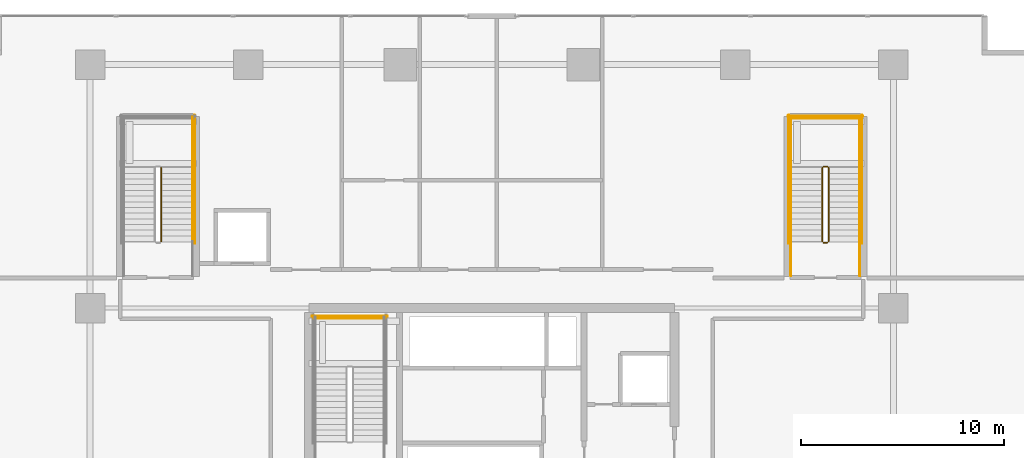
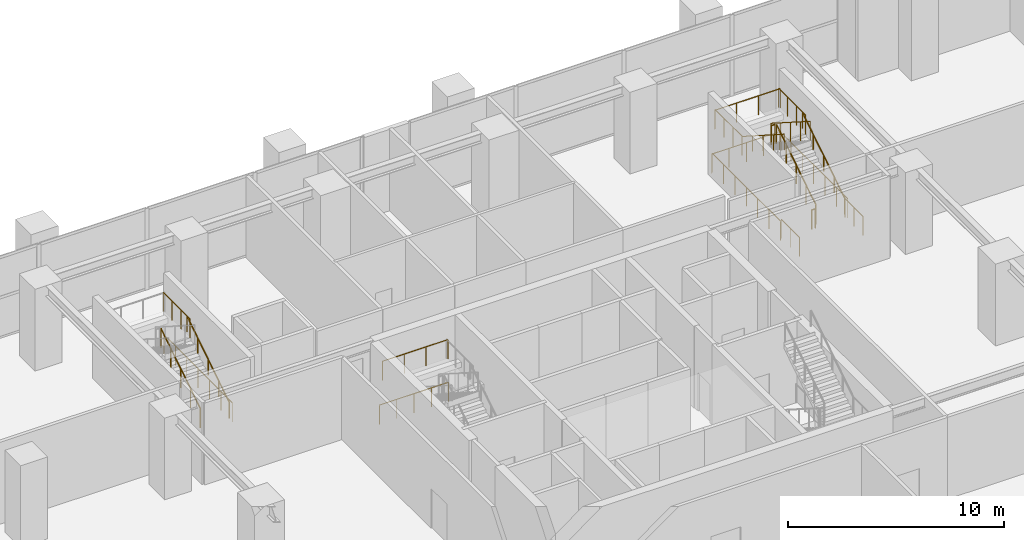
# One storey, part 20 of 20: 20 railings.
"""IFC4 building model written with IfcOpenShell, lengths in metres."""

from ifc_helpers import new_model, si_unit, direction, frame, origin, origin_2d, place, context, subcontext, project, spatial, circle, extrude, material, type_object, element, save


model = new_model("IFC4")

# Units and contexts
model_context = context("Model", 3, precision=1e-05, world=origin(), true_north=direction((0.0, 1.0)))
body_context = subcontext(model_context, "Body", "Model", "MODEL_VIEW")
ifc_project = project(units=[si_unit("LENGTHUNIT", "METRE"), si_unit("AREAUNIT", "SQUARE_METRE"), si_unit("VOLUMEUNIT", "CUBIC_METRE"), si_unit("PLANEANGLEUNIT", "RADIAN"), si_unit("MASSUNIT", "GRAM", prefix="KILO")], contexts=[model_context])

# Site, building, storey
site_placement = place(None, origin())
site = spatial("IfcSite", under=ifc_project, at=site_placement, CompositionType="ELEMENT")
building_placement = place(site_placement, origin())
building = spatial("IfcBuilding", under=site, at=building_placement, Name="Serunith Strait Residences", CompositionType="ELEMENT")
storey_placement = place(building_placement, frame((0.0, 0.0, 5.5)))
storey = spatial("IfcBuildingStorey", under=building, at=storey_placement, Name="L01", CompositionType="ELEMENT", Elevation=5.5)

# Railings
ifc_material = material(Name="Brushed stainless steel 316L", Category="steel")
railing_type_1 = type_object("IfcRailingType", Name="RLG-STAIR-GUARD", PredefinedType="BALUSTRADE", material=ifc_material)
railing_1_placement = place(storey_placement, frame((27.14990234375, 33.10009765625, 2.5)))
element("IfcRailing", 1, at=railing_1_placement, inside=storey, type_object=railing_type_1, Name="L01 ST-1 stair guard 5", PredefinedType="BALUSTRADE", context=body_context, shape_type="SweptSolid", body=[
    extrude(circle(Radius=0.02392578125, at=origin_2d()), frame((-0.001953125, 0.0, 1.076171875), z_axis=(-1.0, 0.0, 0.0), x_axis=(0.0, -1.0, 0.0)), (0.0, 0.0, 1.0), 3.49609375),
    extrude(circle(Radius=0.02099609375, at=origin_2d()), origin(), (0.0, 0.0, 1.0), 1.050048828125),
    extrude(circle(Radius=0.02099609375, at=origin_2d()), frame((-1.166748046875, 0.0, 0.0)), (0.0, 0.0, 1.0), 1.050048828125),
    extrude(circle(Radius=0.02099609375, at=origin_2d()), frame((-2.333251953125, 0.0, 0.0)), (0.0, 0.0, 1.0), 1.050048828125),
    extrude(circle(Radius=0.02099609375, at=origin_2d()), frame((-3.5, 0.0, 0.0)), (0.0, 0.0, 1.0), 1.050048828125),
])
railing_2_placement = place(storey_placement, frame((27.25, 33.199951171875, 0.0)))
element("IfcRailing", 2, at=railing_2_placement, inside=storey, type_object=railing_type_1, Name="L01 ST-1 stair guard 12", PredefinedType="BALUSTRADE", context=body_context, shape_type="SweptSolid", body=[
    extrude(circle(Radius=0.02392578125, at=origin_2d()), frame((-0.001953125, 0.0, 1.076171875), z_axis=(-1.0, 0.0, 0.0), x_axis=(0.0, -1.0, 0.0)), (0.0, 0.0, 1.0), 3.696044921875),
    extrude(circle(Radius=0.02099609375, at=origin_2d()), origin(), (0.0, 0.0, 1.0), 1.050048828125),
    extrude(circle(Radius=0.02099609375, at=origin_2d()), frame((-0.925048828125, 0.0, 0.0)), (0.0, 0.0, 1.0), 1.050048828125),
    extrude(circle(Radius=0.02099609375, at=origin_2d()), frame((-1.85009765625, 0.0, 0.0)), (0.0, 0.0, 1.0), 1.050048828125),
    extrude(circle(Radius=0.02099609375, at=origin_2d()), frame((-2.77490234375, 0.0, 0.0)), (0.0, 0.0, 1.0), 1.050048828125),
    extrude(circle(Radius=0.02099609375, at=origin_2d()), frame((-3.699951171875, 0.0, 0.0)), (0.0, 0.0, 1.0), 1.050048828125),
])
railing_3_placement = place(storey_placement, frame((16.10009765625, 36.8798828125, 0.178466796875)))
element("IfcRailing", 3, at=railing_3_placement, inside=storey, type_object=railing_type_1, Name="L01 ST-3 stair guard 1", PredefinedType="BALUSTRADE", context=body_context, shape_type="SweptSolid", body=[
    extrude(circle(Radius=0.02392578125, at=origin_2d()), frame((0.0, 0.001708984375, 1.0771484375), z_axis=(0.0, 0.843127859045, 0.537713132908), x_axis=(-1.0, 0.0, 0.0)), (0.0, 0.0, 1.0), 4.3134765625),
    extrude(circle(Radius=0.02099609375, at=origin_2d()), origin(), (0.0, 0.0, 1.0), 1.050048828125),
    extrude(circle(Radius=0.02099609375, at=origin_2d()), frame((0.0, 0.91015625, 0.580322265625)), (0.0, 0.0, 1.0), 1.050048828125),
    extrude(circle(Radius=0.02099609375, at=origin_2d()), frame((0.0, 1.820068359375, 1.16064453125)), (0.0, 0.0, 1.0), 1.050048828125),
    extrude(circle(Radius=0.02099609375, at=origin_2d()), frame((0.0, 2.72998046875, 1.7412109375)), (0.0, 0.0, 1.0), 1.050048828125),
    extrude(circle(Radius=0.02099609375, at=origin_2d()), frame((0.0, 3.64013671875, 2.321533203125)), (0.0, 0.0, 1.0), 1.050048828125),
])
railing_4_placement = place(storey_placement, frame((17.64990234375, 40.52001953125, 2.5)))
element("IfcRailing", 4, at=railing_4_placement, inside=storey, type_object=railing_type_1, Name="L01 ST-3 stair guard 3", PredefinedType="BALUSTRADE", context=body_context, shape_type="SweptSolid", body=[
    extrude(circle(Radius=0.02392578125, at=origin_2d()), frame((0.0, 0.001953125, 1.076171875), z_axis=(0.0, 1.0, 0.0), x_axis=(-1.0, 0.0, 0.0)), (0.0, 0.0, 1.0), 2.47607421875),
    extrude(circle(Radius=0.02099609375, at=origin_2d()), origin(), (0.0, 0.0, 1.0), 1.050048828125),
    extrude(circle(Radius=0.02099609375, at=origin_2d()), frame((0.0, 0.82666015625, 0.0)), (0.0, 0.0, 1.0), 1.050048828125),
    extrude(circle(Radius=0.02099609375, at=origin_2d()), frame((0.0, 1.6533203125, 0.0)), (0.0, 0.0, 1.0), 1.050048828125),
    extrude(circle(Radius=0.02099609375, at=origin_2d()), frame((0.0, 2.47998046875, 0.0)), (0.0, 0.0, 1.0), 1.050048828125),
])
railing_5_placement = place(storey_placement, frame((17.75, 36.780029296875, 0.0)))
element("IfcRailing", 5, at=railing_5_placement, inside=storey, type_object=railing_type_1, Name="L01 ST-3 stair guard 10", PredefinedType="BALUSTRADE", context=body_context, shape_type="SweptSolid", body=[
    extrude(circle(Radius=0.02392578125, at=origin_2d()), frame((0.0, 0.001953125, 1.076171875), z_axis=(0.0, 1.0, 0.0), x_axis=(-1.0, 0.0, 0.0)), (0.0, 0.0, 1.0), 6.316162109375),
    extrude(circle(Radius=0.02099609375, at=origin_2d()), origin(), (0.0, 0.0, 1.0), 1.050048828125),
    extrude(circle(Radius=0.02099609375, at=origin_2d()), frame((0.0, 1.05322265625, 0.0)), (0.0, 0.0, 1.0), 1.050048828125),
    extrude(circle(Radius=0.02099609375, at=origin_2d()), frame((0.0, 2.106689453125, 0.0)), (0.0, 0.0, 1.0), 1.050048828125),
    extrude(circle(Radius=0.02099609375, at=origin_2d()), frame((0.0, 3.16015625, 0.0)), (0.0, 0.0, 1.0), 1.050048828125),
    extrude(circle(Radius=0.02099609375, at=origin_2d()), frame((0.0, 4.21337890625, 0.0)), (0.0, 0.0, 1.0), 1.050048828125),
    extrude(circle(Radius=0.02099609375, at=origin_2d()), frame((0.0, 5.2666015625, 0.0)), (0.0, 0.0, 1.0), 1.050048828125),
    extrude(circle(Radius=0.02099609375, at=origin_2d()), frame((0.0, 6.320068359375, 0.0)), (0.0, 0.0, 1.0), 1.050048828125),
])
railing_6_placement = place(storey_placement, frame((49.0, 36.8798828125, 0.178466796875)))
element("IfcRailing", 6, at=railing_6_placement, inside=storey, type_object=railing_type_1, Name="L01 ST-4 stair guard 1", PredefinedType="BALUSTRADE", context=body_context, shape_type="SweptSolid", body=[
    extrude(circle(Radius=0.02392578125, at=origin_2d()), frame((0.0, 0.001708984375, 1.0771484375), z_axis=(0.0, 0.843127859045, 0.537713132908), x_axis=(-1.0, 0.0, 0.0)), (0.0, 0.0, 1.0), 4.3134765625),
    extrude(circle(Radius=0.02099609375, at=origin_2d()), origin(), (0.0, 0.0, 1.0), 1.050048828125),
    extrude(circle(Radius=0.02099609375, at=origin_2d()), frame((0.0, 0.91015625, 0.580322265625)), (0.0, 0.0, 1.0), 1.050048828125),
    extrude(circle(Radius=0.02099609375, at=origin_2d()), frame((0.0, 1.820068359375, 1.16064453125)), (0.0, 0.0, 1.0), 1.050048828125),
    extrude(circle(Radius=0.02099609375, at=origin_2d()), frame((0.0, 2.72998046875, 1.7412109375)), (0.0, 0.0, 1.0), 1.050048828125),
    extrude(circle(Radius=0.02099609375, at=origin_2d()), frame((0.0, 3.64013671875, 2.321533203125)), (0.0, 0.0, 1.0), 1.050048828125),
])
railing_7_placement = place(storey_placement, frame((48.949951171875, 40.570068359375, 2.5)))
element("IfcRailing", 7, at=railing_7_placement, inside=storey, type_object=railing_type_1, Name="L01 ST-4 stair guard 2", PredefinedType="BALUSTRADE", context=body_context, shape_type="SweptSolid", body=[
    extrude(circle(Radius=0.02392578125, at=origin_2d()), frame((-0.001953125, 0.0, 1.076171875), z_axis=(-1.0, 0.0, 0.0), x_axis=(0.0, -1.0, 0.0)), (0.0, 0.0, 1.0), 0.196044921875),
    extrude(circle(Radius=0.02099609375, at=origin_2d()), origin(), (0.0, 0.0, 1.0), 1.050048828125),
    extrude(circle(Radius=0.02099609375, at=origin_2d()), frame((-0.199951171875, 0.0, 0.0)), (0.0, 0.0, 1.0), 1.050048828125),
])
for number, where, name in (
    (8, (50.550048828125, 40.52001953125, 2.5), "L01 ST-4 stair guard 3"),
    (9, (47.14990234375, 40.52001953125, 2.5), "L01 ST-4 stair guard 4"),
):
    element("IfcRailing", number, at=place(storey_placement, frame(where)), inside=storey, type_object=railing_type_1, Name=name, PredefinedType="BALUSTRADE", context=body_context, shape_type="SweptSolid", body=[
        extrude(circle(Radius=0.02392578125, at=origin_2d()), frame((0.0, 0.001953125, 1.076171875), z_axis=(0.0, 1.0, 0.0), x_axis=(-1.0, 0.0, 0.0)), (0.0, 0.0, 1.0), 2.47607421875),
        extrude(circle(Radius=0.02099609375, at=origin_2d()), origin(), (0.0, 0.0, 1.0), 1.050048828125),
        extrude(circle(Radius=0.02099609375, at=origin_2d()), frame((0.0, 0.82666015625, 0.0)), (0.0, 0.0, 1.0), 1.050048828125),
        extrude(circle(Radius=0.02099609375, at=origin_2d()), frame((0.0, 1.6533203125, 0.0)), (0.0, 0.0, 1.0), 1.050048828125),
        extrude(circle(Radius=0.02099609375, at=origin_2d()), frame((0.0, 2.47998046875, 0.0)), (0.0, 0.0, 1.0), 1.050048828125),
    ])
railing_8_placement = place(storey_placement, frame((50.60009765625, 42.949951171875, 2.5)))
element("IfcRailing", 10, at=railing_8_placement, inside=storey, type_object=railing_type_1, Name="L01 ST-4 stair guard 5", PredefinedType="BALUSTRADE", context=body_context, shape_type="SweptSolid", body=[
    extrude(circle(Radius=0.02392578125, at=origin_2d()), frame((-0.001953125, 0.0, 1.076171875), z_axis=(-1.0, 0.0, 0.0), x_axis=(0.0, -1.0, 0.0)), (0.0, 0.0, 1.0), 3.49609375),
    extrude(circle(Radius=0.02099609375, at=origin_2d()), origin(), (0.0, 0.0, 1.0), 1.050048828125),
    extrude(circle(Radius=0.02099609375, at=origin_2d()), frame((-1.166748046875, 0.0, 0.0)), (0.0, 0.0, 1.0), 1.050048828125),
    extrude(circle(Radius=0.02099609375, at=origin_2d()), frame((-2.333251953125, 0.0, 0.0)), (0.0, 0.0, 1.0), 1.050048828125),
    extrude(circle(Radius=0.02099609375, at=origin_2d()), frame((-3.5, 0.0, 0.0)), (0.0, 0.0, 1.0), 1.050048828125),
])
railing_9_placement = place(storey_placement, frame((48.699951171875, 40.52001953125, 2.678466796875)))
element("IfcRailing", 11, at=railing_9_placement, inside=storey, type_object=railing_type_1, Name="L01 ST-4 stair guard 6", PredefinedType="BALUSTRADE", context=body_context, shape_type="SweptSolid", body=[
    extrude(circle(Radius=0.02392578125, at=origin_2d()), frame((0.0, -0.001708984375, 1.0771484375), z_axis=(0.0, -0.843127859045, 0.537713132908), x_axis=(1.0, 0.0, 0.0)), (0.0, 0.0, 1.0), 4.3134765625),
    extrude(circle(Radius=0.02099609375, at=origin_2d()), origin(), (0.0, 0.0, 1.0), 1.050048828125),
    extrude(circle(Radius=0.02099609375, at=origin_2d()), frame((0.0, -0.91015625, 0.580322265625)), (0.0, 0.0, 1.0), 1.050048828125),
    extrude(circle(Radius=0.02099609375, at=origin_2d()), frame((0.0, -1.820068359375, 1.16064453125)), (0.0, 0.0, 1.0), 1.050048828125),
    extrude(circle(Radius=0.02099609375, at=origin_2d()), frame((0.0, -2.72998046875, 1.7412109375)), (0.0, 0.0, 1.0), 1.050048828125),
    extrude(circle(Radius=0.02099609375, at=origin_2d()), frame((0.0, -3.64013671875, 2.321533203125)), (0.0, 0.0, 1.0), 1.050048828125),
])
railing_10_placement = place(storey_placement, frame((48.949951171875, 36.830078125, 0.0)))
element("IfcRailing", 12, at=railing_10_placement, inside=storey, type_object=railing_type_1, Name="L01 ST-4 stair guard 7", PredefinedType="BALUSTRADE", context=body_context, shape_type="SweptSolid", body=[
    extrude(circle(Radius=0.02392578125, at=origin_2d()), frame((-0.001953125, 0.0, 1.076171875), z_axis=(-1.0, 0.0, 0.0), x_axis=(0.0, -1.0, 0.0)), (0.0, 0.0, 1.0), 0.196044921875),
    extrude(circle(Radius=0.02099609375, at=origin_2d()), origin(), (0.0, 0.0, 1.0), 1.050048828125),
    extrude(circle(Radius=0.02099609375, at=origin_2d()), frame((-0.199951171875, 0.0, 0.0)), (0.0, 0.0, 1.0), 1.050048828125),
])
for number, where, name in (
    (13, (50.550048828125, 35.199951171875, 0.0), "L01 ST-4 stair guard 8"),
    (14, (47.14990234375, 35.199951171875, 0.0), "L01 ST-4 stair guard 9"),
):
    element("IfcRailing", number, at=place(storey_placement, frame(where)), inside=storey, type_object=railing_type_1, Name=name, PredefinedType="BALUSTRADE", context=body_context, shape_type="SweptSolid", body=[
        extrude(circle(Radius=0.02392578125, at=origin_2d()), frame((0.0, 0.001953125, 1.076171875), z_axis=(0.0, 1.0, 0.0), x_axis=(-1.0, 0.0, 0.0)), (0.0, 0.0, 1.0), 1.676025390625),
        extrude(circle(Radius=0.02099609375, at=origin_2d()), origin(), (0.0, 0.0, 1.0), 1.050048828125),
        extrude(circle(Radius=0.02099609375, at=origin_2d()), frame((0.0, 0.83984375, 0.0)), (0.0, 0.0, 1.0), 1.050048828125),
        extrude(circle(Radius=0.02099609375, at=origin_2d()), frame((0.0, 1.679931640625, 0.0)), (0.0, 0.0, 1.0), 1.050048828125),
    ])
for number, where, name in (
    (15, (50.64990234375, 36.780029296875, 0.0), "L01 ST-4 stair guard 10"),
    (16, (47.050048828125, 36.780029296875, 0.0), "L01 ST-4 stair guard 11"),
):
    element("IfcRailing", number, at=place(storey_placement, frame(where)), inside=storey, type_object=railing_type_1, Name=name, PredefinedType="BALUSTRADE", context=body_context, shape_type="SweptSolid", body=[
        extrude(circle(Radius=0.02392578125, at=origin_2d()), frame((0.0, 0.001953125, 1.076171875), z_axis=(0.0, 1.0, 0.0), x_axis=(-1.0, 0.0, 0.0)), (0.0, 0.0, 1.0), 6.316162109375),
        extrude(circle(Radius=0.02099609375, at=origin_2d()), origin(), (0.0, 0.0, 1.0), 1.050048828125),
        extrude(circle(Radius=0.02099609375, at=origin_2d()), frame((0.0, 1.05322265625, 0.0)), (0.0, 0.0, 1.0), 1.050048828125),
        extrude(circle(Radius=0.02099609375, at=origin_2d()), frame((0.0, 2.106689453125, 0.0)), (0.0, 0.0, 1.0), 1.050048828125),
        extrude(circle(Radius=0.02099609375, at=origin_2d()), frame((0.0, 3.16015625, 0.0)), (0.0, 0.0, 1.0), 1.050048828125),
        extrude(circle(Radius=0.02099609375, at=origin_2d()), frame((0.0, 4.21337890625, 0.0)), (0.0, 0.0, 1.0), 1.050048828125),
        extrude(circle(Radius=0.02099609375, at=origin_2d()), frame((0.0, 5.2666015625, 0.0)), (0.0, 0.0, 1.0), 1.050048828125),
        extrude(circle(Radius=0.02099609375, at=origin_2d()), frame((0.0, 6.320068359375, 0.0)), (0.0, 0.0, 1.0), 1.050048828125),
    ])
railing_11_placement = place(storey_placement, frame((50.699951171875, 43.050048828125, 0.0)))
element("IfcRailing", 17, at=railing_11_placement, inside=storey, type_object=railing_type_1, Name="L01 ST-4 stair guard 12", PredefinedType="BALUSTRADE", context=body_context, shape_type="SweptSolid", body=[
    extrude(circle(Radius=0.02392578125, at=origin_2d()), frame((-0.001953125, 0.0, 1.076171875), z_axis=(-1.0, 0.0, 0.0), x_axis=(0.0, -1.0, 0.0)), (0.0, 0.0, 1.0), 3.696044921875),
    extrude(circle(Radius=0.02099609375, at=origin_2d()), origin(), (0.0, 0.0, 1.0), 1.050048828125),
    extrude(circle(Radius=0.02099609375, at=origin_2d()), frame((-0.925048828125, 0.0, 0.0)), (0.0, 0.0, 1.0), 1.050048828125),
    extrude(circle(Radius=0.02099609375, at=origin_2d()), frame((-1.85009765625, 0.0, 0.0)), (0.0, 0.0, 1.0), 1.050048828125),
    extrude(circle(Radius=0.02099609375, at=origin_2d()), frame((-2.77490234375, 0.0, 0.0)), (0.0, 0.0, 1.0), 1.050048828125),
    extrude(circle(Radius=0.02099609375, at=origin_2d()), frame((-3.699951171875, 0.0, 0.0)), (0.0, 0.0, 1.0), 1.050048828125),
])
railing_type_2 = type_object("IfcRailingType", Name="RLG-STAIR-HR", PredefinedType="HANDRAIL", material=ifc_material)
for number, where, name in (
    (18, (17.64990234375, 36.8798828125, 0.178466796875), "L01 ST-3 stair handrail 1"),
    (19, (50.550048828125, 36.8798828125, 0.178466796875), "L01 ST-4 stair handrail 1"),
):
    element("IfcRailing", number, at=place(storey_placement, frame(where)), inside=storey, type_object=railing_type_2, Name=name, PredefinedType="HANDRAIL", context=body_context, shape_type="SweptSolid", body=[
        extrude(circle(Radius=0.02392578125, at=origin_2d()), frame((0.0, 0.001708984375, 0.876953125), z_axis=(0.0, 0.842640039007, 0.53847726476), x_axis=(-1.0, 0.0, 0.0)), (0.0, 0.0, 1.0), 4.648193359375),
        extrude(circle(Radius=0.02099609375, at=origin_2d()), origin(), (0.0, 0.0, 1.0), 0.849853515625),
        extrude(circle(Radius=0.02099609375, at=origin_2d()), frame((0.0, 0.97998046875, 0.626220703125)), (0.0, 0.0, 1.0), 0.849853515625),
        extrude(circle(Radius=0.02099609375, at=origin_2d()), frame((0.0, 1.9599609375, 1.25244140625)), (0.0, 0.0, 1.0), 0.849853515625),
        extrude(circle(Radius=0.02099609375, at=origin_2d()), frame((0.0, 2.940185546875, 1.87890625)), (0.0, 0.0, 1.0), 0.849853515625),
        extrude(circle(Radius=0.02099609375, at=origin_2d()), frame((0.0, 3.920166015625, 2.505126953125)), (0.0, 0.0, 1.0), 0.849853515625),
    ])
railing_12_placement = place(storey_placement, frame((47.14990234375, 40.52001953125, 2.678466796875)))
element("IfcRailing", 20, at=railing_12_placement, inside=storey, type_object=railing_type_2, Name="L01 ST-4 stair handrail 2", PredefinedType="HANDRAIL", context=body_context, shape_type="SweptSolid", body=[
    extrude(circle(Radius=0.02392578125, at=origin_2d()), frame((0.0, -0.001708984375, 0.876953125), z_axis=(0.0, -0.842624821579, 0.538501077119), x_axis=(1.0, 0.0, 0.0)), (0.0, 0.0, 1.0), 4.64794921875),
    extrude(circle(Radius=0.02099609375, at=origin_2d()), origin(), (0.0, 0.0, 1.0), 0.849853515625),
    extrude(circle(Radius=0.02099609375, at=origin_2d()), frame((0.0, -0.97998046875, 0.626220703125)), (0.0, 0.0, 1.0), 0.849853515625),
    extrude(circle(Radius=0.02099609375, at=origin_2d()), frame((0.0, -1.9599609375, 1.25244140625)), (0.0, 0.0, 1.0), 0.849853515625),
    extrude(circle(Radius=0.02099609375, at=origin_2d()), frame((0.0, -2.93994140625, 1.87890625)), (0.0, 0.0, 1.0), 0.849853515625),
    extrude(circle(Radius=0.02099609375, at=origin_2d()), frame((0.0, -3.919921875, 2.505126953125)), (0.0, 0.0, 1.0), 0.849853515625),
])

save(model, "model.ifc")
